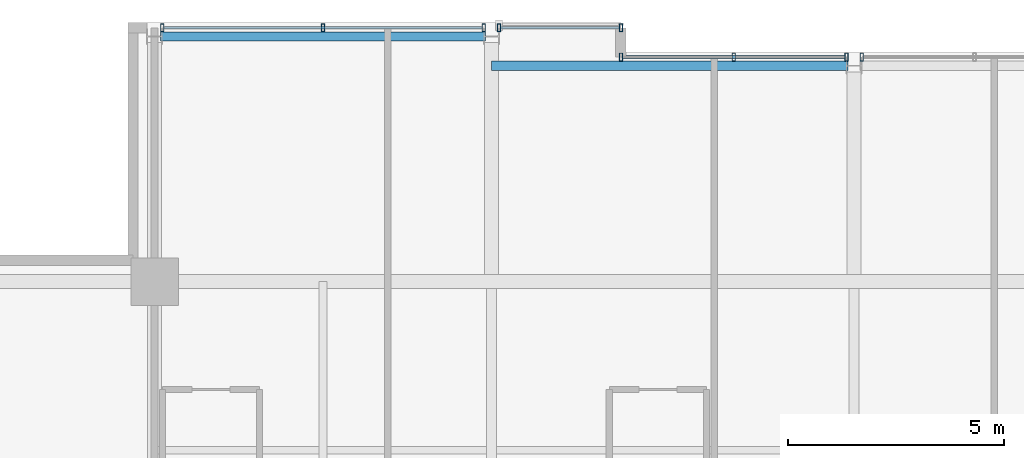
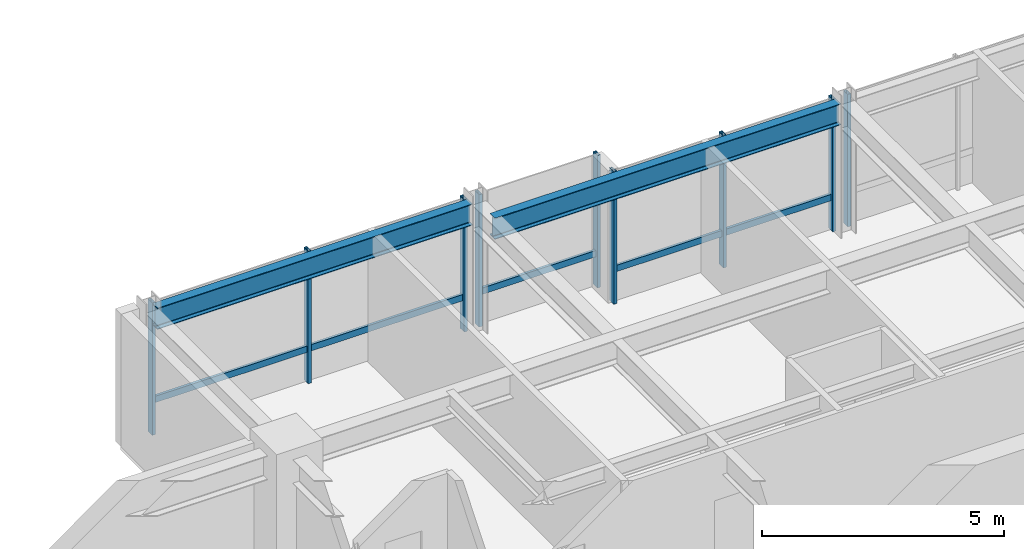
# One storey, part 20 of 31: 12 members, 2 beams, 4 elements without a shape of their own.
"""IFC4 building model written with IfcOpenShell, lengths in metres."""

from ifc_helpers import new_model, si_unit, direction, frame, origin, origin_2d, place, context, subcontext, project, spatial, hollow_rectangle, i_section, extrude, material, layer, layer_set, material_profile, profile_set, type_object, element, aggregate, save


model = new_model("IFC4")

# Units and contexts
model_context = context("Model", 3, precision=1e-05, world=origin(), true_north=direction((0.0, 1.0)))
body_context = subcontext(model_context, "Body", "Model", "MODEL_VIEW")
ifc_project = project(units=[si_unit("LENGTHUNIT", "METRE"), si_unit("AREAUNIT", "SQUARE_METRE"), si_unit("VOLUMEUNIT", "CUBIC_METRE"), si_unit("PLANEANGLEUNIT", "RADIAN"), si_unit("MASSUNIT", "GRAM", prefix="KILO")], contexts=[model_context])

# Site, building, storey
site_placement = place(None, origin())
site = spatial("IfcSite", under=ifc_project, at=site_placement, CompositionType="ELEMENT")
building_placement = place(site_placement, origin())
building = spatial("IfcBuilding", under=site, at=building_placement, Name="Drelvath Grand Hotel", CompositionType="ELEMENT")
storey_placement = place(building_placement, frame((0.0, 0.0, 244.699951171875)))
storey = spatial("IfcBuildingStorey", under=building, at=storey_placement, Name="L64", CompositionType="ELEMENT", Elevation=244.699951171875)

# Curtain wall, member
ifc_material_1 = material(Name="Platinum-Mist Anodised Aluminium Frame", Category="aluminium")
ifc_layer = layer(ifc_material_1, 0.199951171875)
ifc_layer_set = layer_set([ifc_layer], Name="Platinum-Mist Anodised Aluminium Frame")
curtain_wall_type = type_object("IfcCurtainWallType", Name="Stick Curtain Wall CW-05 Platinum Mist High-Rise", PredefinedType="NOTDEFINED", material=ifc_layer_set)
curtain_wall_1_placement = place(storey_placement, origin())
curtain_wall_1 = element("IfcCurtainWall", 1, at=curtain_wall_1_placement, inside=storey, type_object=curtain_wall_type, Name="L64 CW-05 Curtain Wall CW05-L64-NW2", PredefinedType="NOTDEFINED")
ifc_material_profile_1 = material_profile(ifc_material_1, hollow_rectangle(XDim=0.06494140625, YDim=0.159912109375, WallThickness=0.00390625, at=origin_2d()), Name="HSS160X65X4")
ifc_profile_set_1 = profile_set([ifc_material_profile_1], Name="Platinum-Mist Anodised Aluminium Frame")
member_type_1 = type_object("IfcMemberType", Name="Curtain Wall Horizontal Transom CW-05 HSS160X65X4", PredefinedType="USERDEFINED", material=ifc_profile_set_1)
member_1_placement = place(storey_placement, frame((-15.981689453125, 49.080078125, 0.8349609375), z_axis=(1.0, 0.0, 0.0), x_axis=(0.0, 1.0, 0.0)))
member_1 = element("IfcMember", 2, at=member_1_placement, type_object=member_type_1, Name="CW05-L64-NW2 Sill Transom", ObjectType="TRANSOM", PredefinedType="USERDEFINED", context=body_context, shape_type="SweptSolid", body=[
    extrude(hollow_rectangle(XDim=0.06494140625, YDim=0.159912109375, WallThickness=0.00390625, at=origin_2d()), origin(), (0.0, 0.0, 1.0), 7.363525390625),
])

curtain_wall_2_placement = place(storey_placement, origin())
curtain_wall_2 = element("IfcCurtainWall", 3, at=curtain_wall_2_placement, inside=storey, type_object=curtain_wall_type, Name="L64 CW-05 Curtain Wall CW05-L64-NW3", PredefinedType="NOTDEFINED")
member_2_placement = place(storey_placement, frame((-8.181884765625, 49.080078125, 0.8349609375), z_axis=(1.0, 0.0, 0.0), x_axis=(0.0, 1.0, 0.0)))
member_2 = element("IfcMember", 4, at=member_2_placement, type_object=member_type_1, Name="CW05-L64-NW3 Sill Transom", ObjectType="TRANSOM", PredefinedType="USERDEFINED", context=body_context, shape_type="SweptSolid", body=[
    extrude(hollow_rectangle(XDim=0.06494140625, YDim=0.159912109375, WallThickness=0.00390625, at=origin_2d()), origin(), (0.0, 0.0, 1.0), 2.741943359375),
])

curtain_wall_3_placement = place(storey_placement, origin())
curtain_wall_3 = element("IfcCurtainWall", 5, at=curtain_wall_3_placement, inside=storey, type_object=curtain_wall_type, Name="L64 CW-05 Curtain Wall CW05-L64-NM1", PredefinedType="NOTDEFINED")
member_3_placement = place(storey_placement, frame((-5.360107421875, 48.39990234375, 0.8349609375), z_axis=(1.0, 0.0, 0.0), x_axis=(0.0, 1.0, 0.0)))
member_3 = element("IfcMember", 6, at=member_3_placement, type_object=member_type_1, Name="CW05-L64-NM1 Sill Transom", ObjectType="TRANSOM", PredefinedType="USERDEFINED", context=body_context, shape_type="SweptSolid", body=[
    extrude(hollow_rectangle(XDim=0.06494140625, YDim=0.159912109375, WallThickness=0.00390625, at=origin_2d()), origin(), (0.0, 0.0, 1.0), 5.141845703125),
])

# Member
ifc_material_profile_2 = material_profile(ifc_material_1, hollow_rectangle(XDim=0.074951171875, YDim=0.179931640625, WallThickness=0.0048828125, at=origin_2d()), Name="HSS180X75X5")
ifc_profile_set_2 = profile_set([ifc_material_profile_2], Name="Platinum-Mist Anodised Aluminium Frame")
member_type_2 = type_object("IfcMemberType", Name="Curtain Wall Vertical Mullion CW-05 HSS180X75X5", PredefinedType="MULLION", material=ifc_profile_set_2)
member_4_placement = place(storey_placement, frame((-16.021728515625, 49.080078125, 0.0), z_axis=(0.0, 0.0, 1.0), x_axis=(1.0, 0.0, 0.0)))
member_4 = element("IfcMember", 7, at=member_4_placement, type_object=member_type_2, Name="CW05-L64-NW2 Mullion 1", PredefinedType="MULLION", context=body_context, shape_type="SweptSolid", body=[
    extrude(hollow_rectangle(XDim=0.074951171875, YDim=0.179931640625, WallThickness=0.0048828125, at=origin_2d()), origin(), (0.0, 0.0, 1.0), 3.340087890625),
])

member_5_placement = place(storey_placement, frame((-12.300048828125, 49.080078125, 0.0), z_axis=(0.0, 0.0, 1.0), x_axis=(1.0, 0.0, 0.0)))
member_5 = element("IfcMember", 8, at=member_5_placement, type_object=member_type_2, Name="CW05-L64-NW2 Mullion 2", PredefinedType="MULLION", context=body_context, shape_type="SweptSolid", body=[
    extrude(hollow_rectangle(XDim=0.074951171875, YDim=0.179931640625, WallThickness=0.0048828125, at=origin_2d()), origin(), (0.0, 0.0, 1.0), 3.340087890625),
])

member_6_placement = place(storey_placement, frame((-8.578125, 49.080078125, 0.0), z_axis=(0.0, 0.0, 1.0), x_axis=(1.0, 0.0, 0.0)))
member_6 = element("IfcMember", 9, at=member_6_placement, type_object=member_type_2, Name="CW05-L64-NW2 Mullion 3", PredefinedType="MULLION", context=body_context, shape_type="SweptSolid", body=[
    extrude(hollow_rectangle(XDim=0.074951171875, YDim=0.179931640625, WallThickness=0.0048828125, at=origin_2d()), origin(), (0.0, 0.0, 1.0), 3.340087890625),
])

aggregate(curtain_wall_1, [member_4, member_5, member_6, member_1])

member_7_placement = place(storey_placement, frame((-8.2216796875, 49.080078125, 0.0), z_axis=(0.0, 0.0, 1.0), x_axis=(1.0, 0.0, 0.0)))
member_7 = element("IfcMember", 10, at=member_7_placement, type_object=member_type_2, Name="CW05-L64-NW3 Mullion 1", PredefinedType="MULLION", context=body_context, shape_type="SweptSolid", body=[
    extrude(hollow_rectangle(XDim=0.074951171875, YDim=0.179931640625, WallThickness=0.0048828125, at=origin_2d()), origin(), (0.0, 0.0, 1.0), 3.340087890625),
])

member_8_placement = place(storey_placement, frame((-5.39990234375, 49.080078125, 0.0), z_axis=(0.0, 0.0, 1.0), x_axis=(1.0, 0.0, 0.0)))
member_8 = element("IfcMember", 11, at=member_8_placement, type_object=member_type_2, Name="CW05-L64-NW3 Mullion 2", PredefinedType="MULLION", context=body_context, shape_type="SweptSolid", body=[
    extrude(hollow_rectangle(XDim=0.074951171875, YDim=0.179931640625, WallThickness=0.0048828125, at=origin_2d()), origin(), (0.0, 0.0, 1.0), 3.340087890625),
])

aggregate(curtain_wall_2, [member_7, member_8, member_2])

member_9_placement = place(storey_placement, frame((-5.39990234375, 48.39990234375, 0.0), z_axis=(0.0, 0.0, 1.0), x_axis=(1.0, 0.0, 0.0)))
member_9 = element("IfcMember", 12, at=member_9_placement, type_object=member_type_2, Name="CW05-L64-NM1 Mullion 1", PredefinedType="MULLION", context=body_context, shape_type="SweptSolid", body=[
    extrude(hollow_rectangle(XDim=0.074951171875, YDim=0.179931640625, WallThickness=0.0048828125, at=origin_2d()), origin(), (0.0, 0.0, 1.0), 3.340087890625),
])

member_10_placement = place(storey_placement, frame((-2.7890625, 48.39990234375, 0.0), z_axis=(0.0, 0.0, 1.0), x_axis=(1.0, 0.0, 0.0)))
member_10 = element("IfcMember", 13, at=member_10_placement, type_object=member_type_2, Name="CW05-L64-NM1 Mullion 2", PredefinedType="MULLION", context=body_context, shape_type="SweptSolid", body=[
    extrude(hollow_rectangle(XDim=0.074951171875, YDim=0.179931640625, WallThickness=0.0048828125, at=origin_2d()), origin(), (0.0, 0.0, 1.0), 3.340087890625),
])

member_11_placement = place(storey_placement, frame((-0.17822265625, 48.39990234375, 0.0), z_axis=(0.0, 0.0, 1.0), x_axis=(1.0, 0.0, 0.0)))
member_11 = element("IfcMember", 14, at=member_11_placement, type_object=member_type_2, Name="CW05-L64-NM1 Mullion 3", PredefinedType="MULLION", context=body_context, shape_type="SweptSolid", body=[
    extrude(hollow_rectangle(XDim=0.074951171875, YDim=0.179931640625, WallThickness=0.0048828125, at=origin_2d()), origin(), (0.0, 0.0, 1.0), 3.340087890625),
])

aggregate(curtain_wall_3, [member_9, member_10, member_11, member_3])

# Curtain wall, member
curtain_wall_4_placement = place(storey_placement, origin())
curtain_wall_4 = element("IfcCurtainWall", 15, at=curtain_wall_4_placement, inside=storey, type_object=curtain_wall_type, Name="L64 CW-05 Curtain Wall CW05-L64-NM2", PredefinedType="NOTDEFINED")
member_12_placement = place(storey_placement, frame((0.17822265625, 48.39990234375, 0.0), z_axis=(0.0, 0.0, 1.0), x_axis=(1.0, 0.0, 0.0)))
member_12 = element("IfcMember", 16, at=member_12_placement, type_object=member_type_2, Name="CW05-L64-NM2 Mullion 1", PredefinedType="MULLION", context=body_context, shape_type="SweptSolid", body=[
    extrude(hollow_rectangle(XDim=0.074951171875, YDim=0.179931640625, WallThickness=0.0048828125, at=origin_2d()), origin(), (0.0, 0.0, 1.0), 3.340087890625),
])
aggregate(curtain_wall_4, [member_12])

# Beams
ifc_material_2 = material(Name="Steel ASTM A992 Gr 50", Category="steel")
ifc_material_profile_3 = material_profile(ifc_material_2, i_section(OverallWidth=0.210205078125, OverallDepth=0.53662109375, WebThickness=0.010986328125, FlangeThickness=0.017333984375, FilletRadius=0.01806640625, at=origin_2d()), Name="W21X68")
ifc_profile_set_3 = profile_set([ifc_material_profile_3], Name="Steel ASTM A992 Gr 50")
beam_type = type_object("IfcBeamType", Name="Perimeter Spandrel Beam W21X68", PredefinedType="SPANDREL", material=ifc_profile_set_3)
beam_1_placement = place(storey_placement, frame((-16.06005859375, 48.8798828125, 3.071533203125), z_axis=(1.0, 0.0, 0.0), x_axis=(0.0, 1.0, 0.0)))
element("IfcBeam", 17, at=beam_1_placement, inside=storey, type_object=beam_type, Name="L64 Spandrel North W", PredefinedType="SPANDREL", context=body_context, shape_type="SweptSolid", body=[
    extrude(i_section(OverallWidth=0.210205078125, OverallDepth=0.53662109375, WebThickness=0.010986328125, FlangeThickness=0.017333984375, FilletRadius=0.01806640625, at=origin_2d()), origin(), (0.0, 0.0, 1.0), 7.52001953125),
])
beam_2_placement = place(storey_placement, frame((-8.39990234375, 48.199951171875, 3.071533203125), z_axis=(1.0, 0.0, 0.0), x_axis=(0.0, 1.0, 0.0)))
element("IfcBeam", 18, at=beam_2_placement, inside=storey, type_object=beam_type, Name="L64 Spandrel North Mid W", PredefinedType="SPANDREL", context=body_context, shape_type="SweptSolid", body=[
    extrude(i_section(OverallWidth=0.210205078125, OverallDepth=0.53662109375, WebThickness=0.010986328125, FlangeThickness=0.017333984375, FilletRadius=0.01806640625, at=origin_2d()), origin(), (0.0, 0.0, 1.0), 8.260009765625),
])

save(model, "model.ifc")
